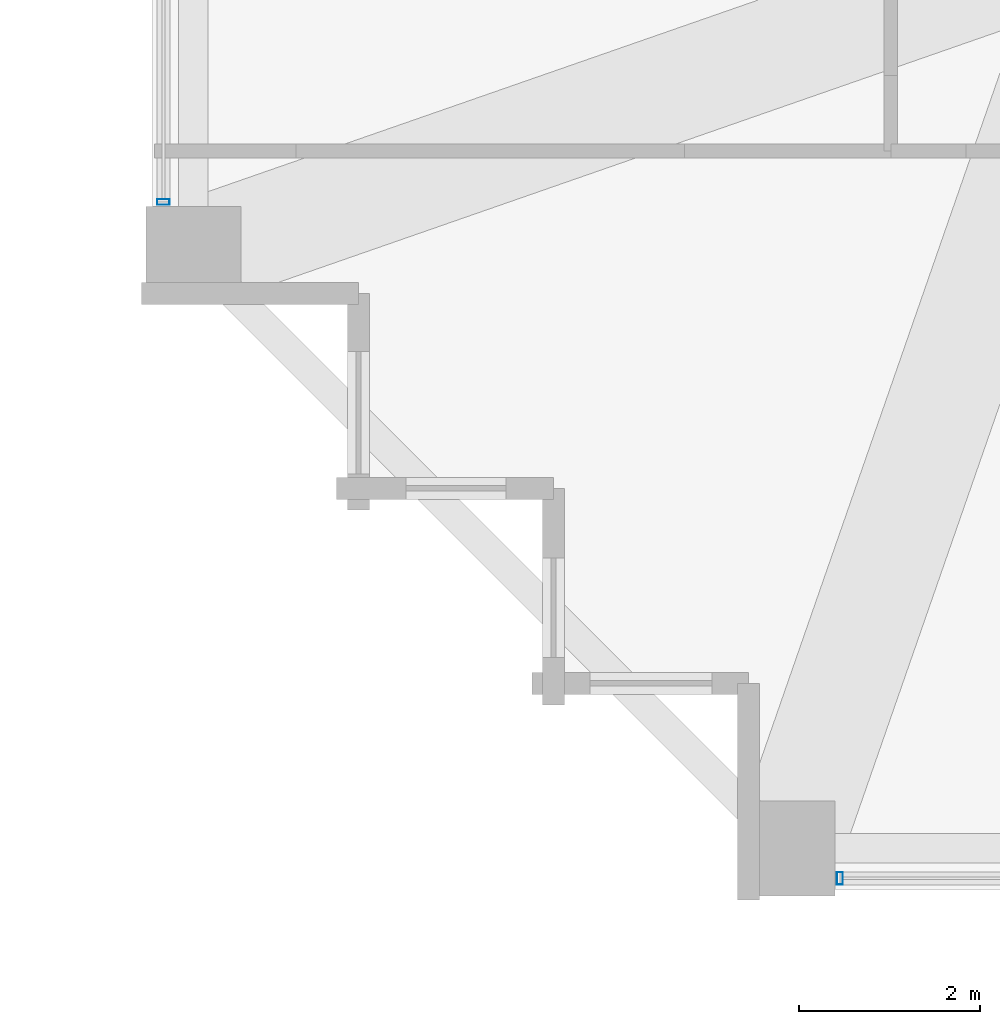
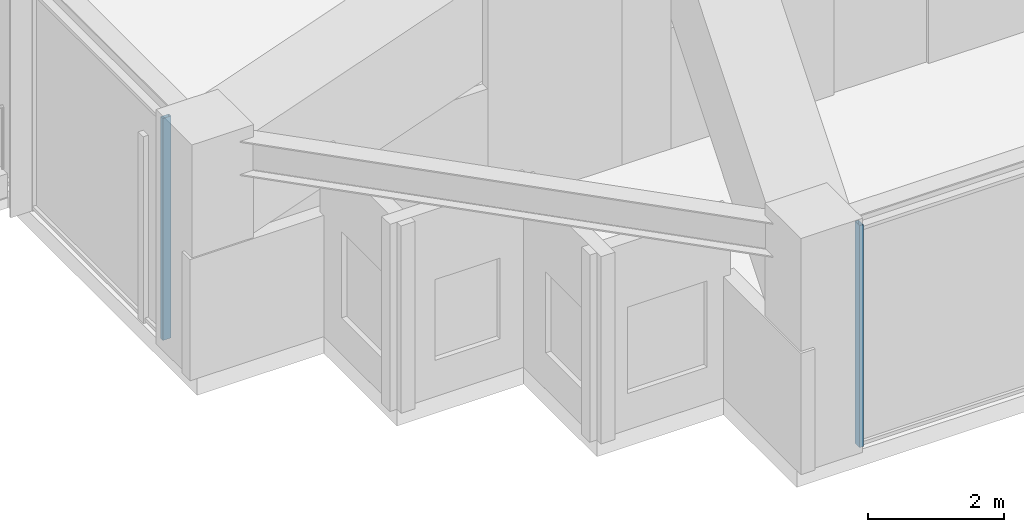
# One storey, part 2 of 40: 2 members, 2 elements without a shape of their own.
"""IFC4 building model written with IfcOpenShell, lengths in metres."""

from ifc_helpers import new_model, si_unit, direction, frame, origin, origin_2d, place, context, subcontext, project, spatial, hollow_rectangle, extrude, material, material_profile, profile_set, type_object, element, aggregate, save


model = new_model("IFC4")

# Units and contexts
model_context = context("Model", 3, precision=1e-05, world=origin(), true_north=direction((0.0, 1.0)))
body_context = subcontext(model_context, "Body", "Model", "MODEL_VIEW")
ifc_project = project(units=[si_unit("LENGTHUNIT", "METRE"), si_unit("AREAUNIT", "SQUARE_METRE"), si_unit("VOLUMEUNIT", "CUBIC_METRE"), si_unit("PLANEANGLEUNIT", "RADIAN"), si_unit("MASSUNIT", "GRAM", prefix="KILO")], contexts=[model_context])

# Site, building, storey
site_placement = place(None, origin())
site = spatial("IfcSite", under=ifc_project, at=site_placement, CompositionType="ELEMENT")
building_placement = place(site_placement, origin())
building = spatial("IfcBuilding", under=site, at=building_placement, Name="Kolvaren Belvedere", CompositionType="ELEMENT")
storey_placement = place(building_placement, frame((0.0, 0.0, 68.0)))
storey = spatial("IfcBuildingStorey", under=building, at=storey_placement, Name="L19", CompositionType="ELEMENT", Elevation=68.0)

# Curtain wall, member
ifc_material_1 = material(Name="Anodised pale-metal aluminium AA 6063-T6", Category="aluminium")
curtain_wall_type = type_object("IfcCurtainWallType", Name="CW-Z2-MID", PredefinedType="NOTDEFINED", material=ifc_material_1)
curtain_wall_1_placement = place(storey_placement, origin())
curtain_wall_1 = element("IfcCurtainWall", 1, at=curtain_wall_1_placement, inside=storey, type_object=curtain_wall_type, Name="L19 Unitised Curtain Wall FCW-L19-S-B3", PredefinedType="NOTDEFINED")
ifc_material_2 = material(Name="Anodised pale-metal aluminium AA 6063-T6", Category="aluminium")
ifc_material_profile = material_profile(ifc_material_2, hollow_rectangle(XDim=0.06494140625, YDim=0.139892578125, WallThickness=0.00390625, at=origin_2d()), Name="ALU-MUL-140X65")
ifc_profile_set = profile_set([ifc_material_profile], Name="Anodised pale-metal aluminium AA 6063-T6")
member_type = type_object("IfcMemberType", Name="CW-MUL-140", PredefinedType="MULLION", material=ifc_profile_set)
member_1_placement = place(storey_placement, frame((-12.822509765625, -20.280029296875, 0.0), z_axis=(0.0, 0.0, 1.0), x_axis=(1.0, 0.0, 0.0)))
member_1 = element("IfcMember", 2, at=member_1_placement, type_object=member_type, Name="FCW-L19-S-B3 Unitised Mullion 3", PredefinedType="MULLION", context=body_context, shape_type="SweptSolid", body=[
    extrude(hollow_rectangle(XDim=0.06494140625, YDim=0.139892578125, WallThickness=0.00390625, at=origin_2d()), origin(), (0.0, 0.0, 1.0), 3.97998046875),
])
aggregate(curtain_wall_1, [member_1])

curtain_wall_2_placement = place(storey_placement, origin())
curtain_wall_2 = element("IfcCurtainWall", 3, at=curtain_wall_2_placement, inside=storey, type_object=curtain_wall_type, Name="L19 Unitised Curtain Wall FCW-L19-W1-B1", PredefinedType="NOTDEFINED")
member_2_placement = place(storey_placement, frame((-20.280029296875, -12.822509765625, 0.0), z_axis=(0.0, 0.0, 1.0), x_axis=(0.0, 1.0, 0.0)))
member_2 = element("IfcMember", 4, at=member_2_placement, type_object=member_type, Name="FCW-L19-W1-B1 Unitised Mullion 1", PredefinedType="MULLION", context=body_context, shape_type="SweptSolid", body=[
    extrude(hollow_rectangle(XDim=0.06494140625, YDim=0.139892578125, WallThickness=0.00390625, at=origin_2d()), origin(), (0.0, 0.0, 1.0), 3.97998046875),
])
aggregate(curtain_wall_2, [member_2])

save(model, "model.ifc")
